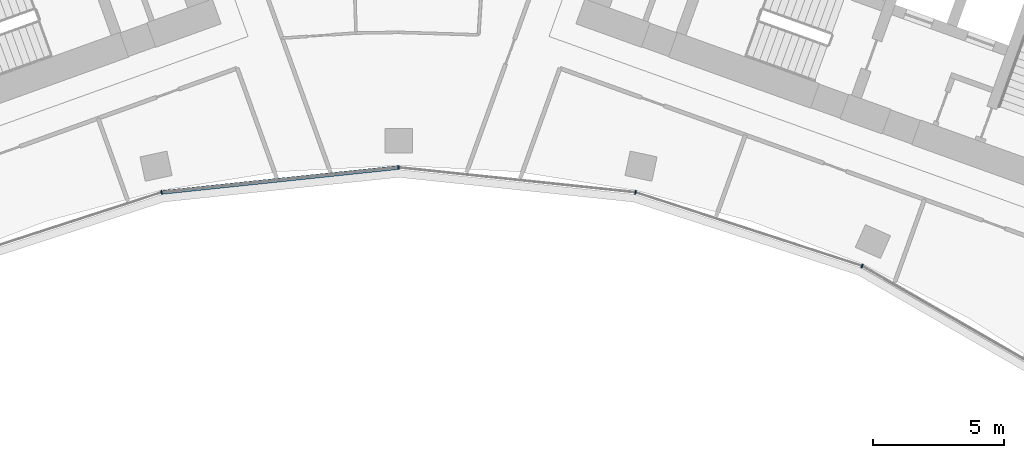
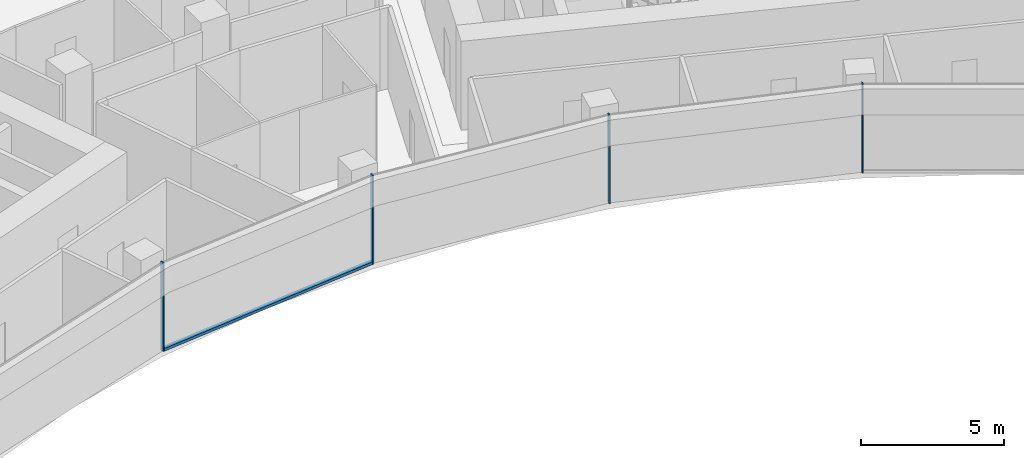
# One storey, part 4 of 19: 5 members, 1 element without a shape of its own.
"""IFC4 building model written with IfcOpenShell, lengths in metres."""

from ifc_helpers import new_model, si_unit, direction, frame, origin, origin_2d, place, context, subcontext, project, spatial, rectangle, extrude, material, layer, layer_set, material_profile, profile_set, type_object, element, aggregate, save


model = new_model("IFC4")

# Units and contexts
model_context = context("Model", 3, precision=1e-05, world=origin(), true_north=direction((0.0, 1.0)))
body_context = subcontext(model_context, "Body", "Model", "MODEL_VIEW")
ifc_project = project(units=[si_unit("LENGTHUNIT", "METRE"), si_unit("AREAUNIT", "SQUARE_METRE"), si_unit("VOLUMEUNIT", "CUBIC_METRE"), si_unit("PLANEANGLEUNIT", "RADIAN"), si_unit("MASSUNIT", "GRAM", prefix="KILO")], contexts=[model_context])

# Site, building, storey
site_placement = place(None, origin())
site = spatial("IfcSite", under=ifc_project, at=site_placement, CompositionType="ELEMENT")
building_placement = place(site_placement, origin())
building = spatial("IfcBuilding", under=site, at=building_placement, Name="Stone Belt Terrace Tower", CompositionType="ELEMENT")
storey_placement = place(building_placement, frame((0.0, 0.0, 208.60009765625)))
storey = spatial("IfcBuildingStorey", under=building, at=storey_placement, Name="L50", CompositionType="ELEMENT", Elevation=208.60009765625)

# Curtain wall, members
ifc_material = material(Name="Aluminium 6063-T6 anodised frame", Category="aluminium")
ifc_layer = layer(ifc_material, 0.14990234375)
ifc_layer_set = layer_set([ifc_layer], Name="CW-B unitised concave-face curtain wall")
curtain_wall_type = type_object("IfcCurtainWallType", Name="CW-B unitised concave-face curtain wall", PredefinedType="NOTDEFINED", material=ifc_layer_set)
curtain_wall_placement = place(storey_placement, origin())
curtain_wall = element("IfcCurtainWall", 1, at=curtain_wall_placement, inside=storey, type_object=curtain_wall_type, Name="CW-B concave face L50", PredefinedType="NOTDEFINED")
ifc_material_profile_1 = material_profile(ifc_material, rectangle(XDim=0.14990234375, YDim=0.050048828125, at=origin_2d()), Name="Aluminium 6063-T6 50x150")
ifc_profile_set_1 = profile_set([ifc_material_profile_1], Name="Aluminium 6063-T6 anodised frame")
member_type_1 = type_object("IfcMemberType", Name="CW-B mullion 50 x 150", PredefinedType="MULLION", material=ifc_profile_set_1)
member_1_placement = place(storey_placement, frame((-9.028564453125, 42.4755859375, 0.0), z_axis=(0.0, 0.0, 1.0), x_axis=(-0.207911690818, 0.978147600734, 0.0)))
member_1 = element("IfcMember", 2, at=member_1_placement, type_object=member_type_1, Name="CW-B mullion 4", PredefinedType="MULLION", context=body_context, shape_type="SweptSolid", body=[
    extrude(rectangle(XDim=0.14990234375, YDim=0.050048828125, at=origin_2d()), origin(), (0.0, 0.0, 1.0), 3.7998046875),
])
member_2_placement = place(storey_placement, frame((0.0, 43.424560546875, 0.0), z_axis=(0.0, 0.0, 1.0), x_axis=(0.0, 1.0, 0.0)))
member_2 = element("IfcMember", 3, at=member_2_placement, type_object=member_type_1, Name="CW-B mullion 5", PredefinedType="MULLION", context=body_context, shape_type="SweptSolid", body=[
    extrude(rectangle(XDim=0.14990234375, YDim=0.050048828125, at=origin_2d()), origin(), (0.0, 0.0, 1.0), 3.7998046875),
])
member_3_placement = place(storey_placement, frame((9.028564453125, 42.4755859375, 0.0), z_axis=(0.0, 0.0, 1.0), x_axis=(0.207911690818, 0.978147600734, 0.0)))
member_3 = element("IfcMember", 4, at=member_3_placement, type_object=member_type_1, Name="CW-B mullion 6", PredefinedType="MULLION", context=body_context, shape_type="SweptSolid", body=[
    extrude(rectangle(XDim=0.14990234375, YDim=0.050048828125, at=origin_2d()), origin(), (0.0, 0.0, 1.0), 3.7998046875),
])
member_4_placement = place(storey_placement, frame((17.662353515625, 39.67041015625, 0.0), z_axis=(0.0, 0.0, 1.0), x_axis=(0.406736643076, 0.913545457643, 0.0)))
member_4 = element("IfcMember", 5, at=member_4_placement, type_object=member_type_1, Name="CW-B mullion 7", PredefinedType="MULLION", context=body_context, shape_type="SweptSolid", body=[
    extrude(rectangle(XDim=0.14990234375, YDim=0.050048828125, at=origin_2d()), origin(), (0.0, 0.0, 1.0), 3.7998046875),
])
ifc_material_profile_2 = material_profile(ifc_material, rectangle(XDim=0.14990234375, YDim=0.1201171875, at=origin_2d()), Name="Aluminium 6063-T6 150x120")
ifc_profile_set_2 = profile_set([ifc_material_profile_2], Name="Aluminium 6063-T6 anodised frame")
member_type_2 = type_object("IfcMemberType", Name="CW-B transom 120 x 150", PredefinedType="USERDEFINED", material=ifc_profile_set_2)
member_5_placement = place(storey_placement, frame((-8.995849609375, 42.47900390625, 0.059814453125), z_axis=(0.994521323407, 0.104533904969, 0.0), x_axis=(-0.104533904969, 0.994521323407, 0.0)))
member_5 = element("IfcMember", 6, at=member_5_placement, type_object=member_type_2, Name="CW-B transom 4.1", ObjectType="TRANSOM", PredefinedType="USERDEFINED", context=body_context, shape_type="SweptSolid", body=[
    extrude(rectangle(XDim=0.14990234375, YDim=0.1201171875, at=origin_2d()), origin(), (0.0, 0.0, 1.0), 9.0126953125),
])
aggregate(curtain_wall, [member_1, member_2, member_3, member_4, member_5])

save(model, "model.ifc")
